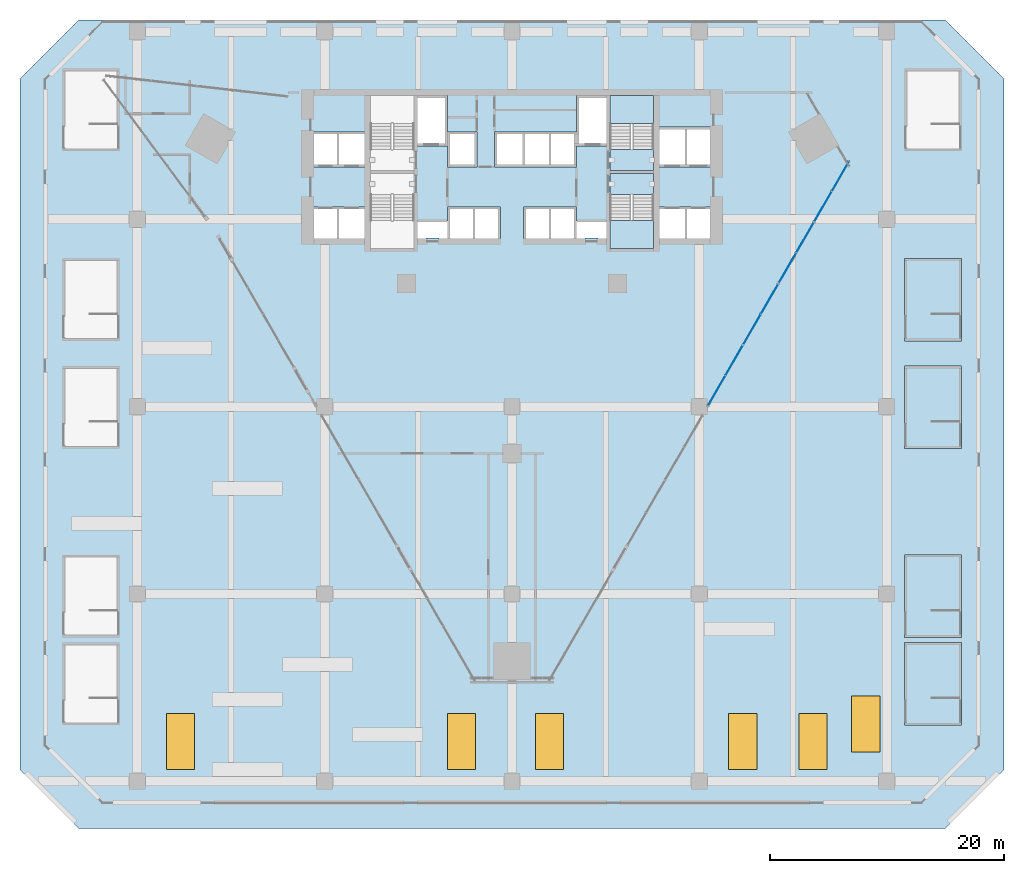
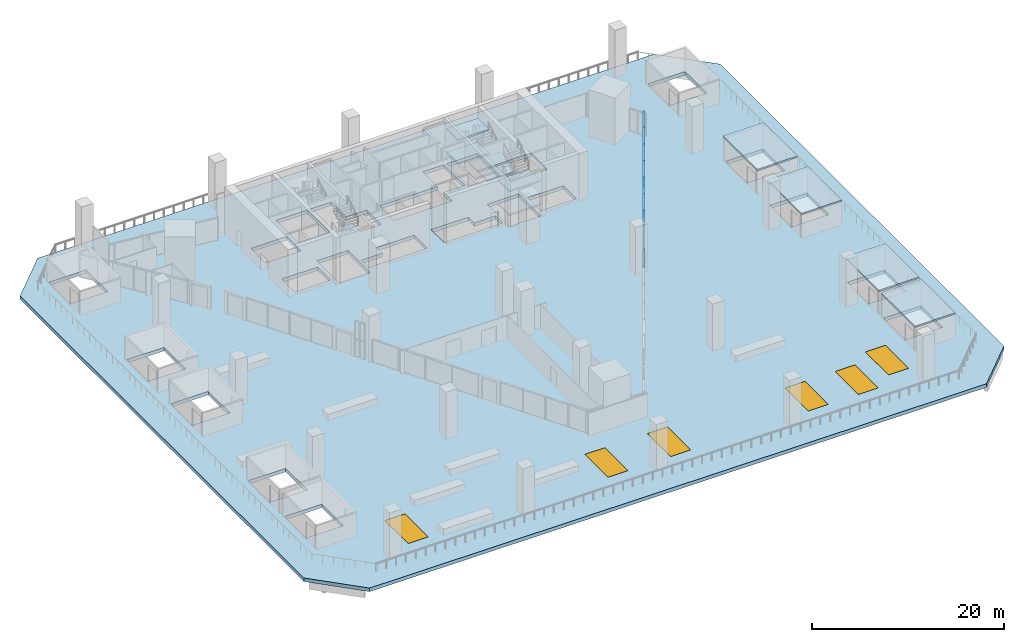
# One storey, part 16 of 25: 11 slabs, 8 plates, 6 windows, 6 openings, 6 elements without a shape of their own.
"""IFC4 building model written with IfcOpenShell, lengths in metres."""

import ifcopenshell
import ifcopenshell.guid

model = None  # the IFC model being written
_history = None  # IfcOwnerHistory: only IFC2X3 demands one
_inside = {}  # id of a spatial element -> (the spatial element, [elements in it])
_under = {}  # id of a project, library or spatial element -> (it, [spatial elements below it])
_declared = {}  # id of a project -> (the project, [libraries it declares])
_typed = {}  # id of a type object -> (the type object, [elements of that type])
_made_of = {}  # id of a material, layer set ... -> (it, [elements and type objects made of it])


def new_model(schema):
    """Start an empty IFC model of exactly this schema.

    Asked for "IFC4X3", IfcOpenShell would pick the latest addendum, in which some entities
    have other attributes; the version numbers below select the first issue.
    IFC2X3 requires an IfcOwnerHistory on every rooted entity: one is made here for all.
    """
    global model, _history
    if schema == "IFC4X3":
        model = ifcopenshell.file(schema_version=(4, 3, 0, 0))
    else:
        model = ifcopenshell.file(schema=schema)
    _inside.clear()
    _under.clear()
    _declared.clear()
    _typed.clear()
    _made_of.clear()
    _history = None
    if model.schema == "IFC2X3":
        org = make("IfcOrganization", Name="unknown")
        user = make(
            "IfcPersonAndOrganization",
            ThePerson=make("IfcPerson", FamilyName="unknown"),
            TheOrganization=org,
        )
        app = make(
            "IfcApplication",
            ApplicationDeveloper=org,
            Version="unknown",
            ApplicationFullName="unknown",
            ApplicationIdentifier="unknown",
        )
        _history = make(
            "IfcOwnerHistory",
            OwningUser=user,
            OwningApplication=app,
            ChangeAction="ADDED",
            CreationDate=0,
        )
    return model


def make(cls, **values):
    """One entity of the class cls with the attributes given. An attribute that is None is left unset."""
    return model.create_entity(
        cls, **{name: value for name, value in values.items() if value is not None}
    )


def rooted(cls, **values):
    """An entity with a GlobalId (a new one), such as an element, a storey or a relation."""
    return make(cls, GlobalId=ifcopenshell.guid.new(), OwnerHistory=_history, **values)


def si_unit(unit_type, name, prefix=None):
    """IfcSIUnit, for example si_unit("LENGTHUNIT", "METRE", prefix="MILLI")."""
    return make("IfcSIUnit", UnitType=unit_type, Prefix=prefix, Name=name)


def assignment(units):
    """IfcUnitAssignment: the units of a project."""
    return None if units is None else make("IfcUnitAssignment", Units=units)


def point(xyz):
    """IfcCartesianPoint."""
    return None if xyz is None else make("IfcCartesianPoint", Coordinates=xyz)


def direction(xyz):
    """IfcDirection."""
    return None if xyz is None else make("IfcDirection", DirectionRatios=xyz)


def frame(location, z_axis=None, x_axis=None):
    """IfcAxis2Placement3D, a coordinate frame: its origin and axes. An axis left out is left unset."""
    return make(
        "IfcAxis2Placement3D",
        Location=point(location),
        Axis=direction(z_axis),
        RefDirection=direction(x_axis),
    )


def frame_2d(location, x_axis=None):
    """IfcAxis2Placement2D, a coordinate frame in the plane: its origin and x axis."""
    return make(
        "IfcAxis2Placement2D", Location=point(location), RefDirection=direction(x_axis)
    )


def origin():
    """The frame at (0, 0, 0) with its axes left unset."""
    return frame((0.0, 0.0, 0.0))


def origin_2d():
    """The frame at (0, 0) in the plane with its x axis left unset."""
    return frame_2d((0.0, 0.0))


def place(relative_to, where):
    """IfcLocalPlacement: puts the frame where relative to a parent placement (None: the world)."""
    return make(
        "IfcLocalPlacement", PlacementRelTo=relative_to, RelativePlacement=where
    )


def context(
    kind, dimensions, precision=None, world=None, true_north=None, identifier=None
):
    """IfcGeometricRepresentationContext, for example the 3D "Model" context."""
    return make(
        "IfcGeometricRepresentationContext",
        ContextIdentifier=identifier,
        ContextType=kind,
        CoordinateSpaceDimension=dimensions,
        Precision=precision,
        WorldCoordinateSystem=world,
        TrueNorth=true_north,
    )


def subcontext(parent, identifier, kind, view, scale=None):
    """IfcGeometricRepresentationSubContext, for example "Body" below "Model"."""
    return make(
        "IfcGeometricRepresentationSubContext",
        ContextIdentifier=identifier,
        ContextType=kind,
        ParentContext=parent,
        TargetScale=scale,
        TargetView=view,
    )


def project(units=None, contexts=None):
    """IfcProject with its units and contexts."""
    return rooted(
        "IfcProject",
        Name="project",
        RepresentationContexts=contexts,
        UnitsInContext=assignment(units),
    )


def spatial(cls, under=None, at=None, **own):
    """A site, building, storey or space (cls), placed at a placement, below another one or the project."""
    s = rooted(cls, ObjectPlacement=at, **own)
    if under is not None:
        _under.setdefault(under.id(), (under, []))[1].append(s)
    return s


def polyline(points):
    """IfcPolyline through the points."""
    return make("IfcPolyline", Points=[point(p) for p in points])


def profile(cls, at=None, kind="AREA", **sizes):
    """A parametric profile (cls). Its sizes go by their IFC names, for example OverallWidth=200.0."""
    return make(cls, ProfileType=kind, Position=at, **sizes)


def rectangle(**sizes):
    """IfcRectangleProfileDef."""
    return profile("IfcRectangleProfileDef", **sizes)


def outline(outer, holes=None, kind="AREA"):
    """IfcArbitraryClosedProfileDef: a profile drawn as a closed curve; with holes, ...WithVoids."""
    if holes is None:
        return make("IfcArbitraryClosedProfileDef", ProfileType=kind, OuterCurve=outer)
    return make(
        "IfcArbitraryProfileDefWithVoids",
        ProfileType=kind,
        OuterCurve=outer,
        InnerCurves=holes,
    )


def extrude(swept, where, along, depth):
    """IfcExtrudedAreaSolid: the profile swept, set in the frame where, extruded along a direction by depth."""
    return make(
        "IfcExtrudedAreaSolid",
        SweptArea=swept,
        Position=where,
        ExtrudedDirection=direction(along),
        Depth=depth,
    )


def shape(context_of_items, identifier, shape_type, items):
    """IfcShapeRepresentation: the items that make up one representation, for example the "Body"."""
    return make(
        "IfcShapeRepresentation",
        ContextOfItems=context_of_items,
        RepresentationIdentifier=identifier,
        RepresentationType=shape_type,
        Items=items,
    )


def material(Name=None, Category=None):
    """IfcMaterial."""
    return make("IfcMaterial", Name=Name, Category=Category)


def layer(
    of_material, thickness, ventilated=None, Name=None, Category=None, Priority=None
):
    """IfcMaterialLayer: one layer of a wall or slab, of a material (None: an air gap)."""
    return make(
        "IfcMaterialLayer",
        Material=of_material,
        LayerThickness=thickness,
        IsVentilated=ventilated,
        Name=Name,
        Category=Category,
        Priority=Priority,
    )


def layer_set(layers, Name=None):
    """IfcMaterialLayerSet."""
    return make("IfcMaterialLayerSet", MaterialLayers=layers, LayerSetName=Name)


def made_of(thing, what):
    """Note that an element or type object is made of a material, layer set ...; save() writes the relation."""
    if what is not None:
        _made_of.setdefault(what.id(), (what, []))[1].append(thing)
    return thing


def type_object(cls, material=None, **own):
    """A type object (cls), such as IfcWallType, which elements share."""
    return made_of(rooted(cls, **own), material)


def element(
    cls,
    number,
    at=None,
    inside=None,
    cuts=None,
    type_object=None,
    material=None,
    context=None,
    identifier="Body",
    shape_type=None,
    held_by="IfcProductDefinitionShape",
    body=None,
    shapes=None,
    **own,
):
    """One element of the class cls, such as IfcWall. Its Tag is "e" and its number.

    at: its placement. inside: the storey or other place that contains it. cuts: it is an
    opening in that element (IfcRelVoidsElement). A single representation is given by context,
    identifier, shape_type and body (its items); several are given by shapes. held_by: the class
    of the entity that holds the representations. save() writes the other relations.
    """
    e = rooted(cls, Tag="e%d" % number, ObjectPlacement=at, **own)
    if body is not None:
        shapes = [shape(context, identifier, shape_type, body)]
    if shapes is not None:
        e.Representation = make(held_by, Representations=shapes)
    if inside is not None:
        _inside.setdefault(inside.id(), (inside, []))[1].append(e)
    if cuts is not None:
        rooted(
            "IfcRelVoidsElement", RelatingBuildingElement=cuts, RelatedOpeningElement=e
        )
    if type_object is not None:
        _typed.setdefault(type_object.id(), (type_object, []))[1].append(e)
    return made_of(e, material)


def fill(opening, filler):
    """IfcRelFillsElement: the door or window that sits in an opening."""
    return rooted(
        "IfcRelFillsElement",
        RelatingOpeningElement=opening,
        RelatedBuildingElement=filler,
    )


def aggregate(whole, parts):
    """IfcRelAggregates: a whole, such as a stair, and the parts it consists of."""
    return rooted("IfcRelAggregates", RelatingObject=whole, RelatedObjects=parts)


def save(model, path):
    """Write the relations noted so far, then the file.

    IfcRelAggregates (storeys below a building ...), IfcRelContainedInSpatialStructure (elements
    in a storey), IfcRelDefinesByType, IfcRelAssociatesMaterial and IfcRelDeclares: one each for
    every whole, place, type object, material and project.
    """
    for whole, parts in _under.values():
        aggregate(whole, parts)
    for where, things in _inside.values():
        rooted(
            "IfcRelContainedInSpatialStructure",
            RelatedElements=things,
            RelatingStructure=where,
        )
    for kind, things in _typed.values():
        rooted("IfcRelDefinesByType", RelatedObjects=things, RelatingType=kind)
    for what, things in _made_of.values():
        rooted("IfcRelAssociatesMaterial", RelatedObjects=things, RelatingMaterial=what)
    for by, libraries in _declared.values():
        rooted("IfcRelDeclares", RelatingContext=by, RelatedDefinitions=libraries)
    model.write(path)


model = new_model("IFC4")

# Units and contexts
model_context = context("Model", 3, precision=1e-05, world=origin(), true_north=direction((0.0, 1.0)))
body_context = subcontext(model_context, "Body", "Model", "MODEL_VIEW")
ifc_project = project(units=[si_unit("LENGTHUNIT", "METRE"), si_unit("AREAUNIT", "SQUARE_METRE"), si_unit("VOLUMEUNIT", "CUBIC_METRE"), si_unit("PLANEANGLEUNIT", "RADIAN"), si_unit("MASSUNIT", "GRAM", prefix="KILO")], contexts=[model_context])

# Site, building, storey
site_placement = place(None, origin())
site = spatial("IfcSite", under=ifc_project, at=site_placement, CompositionType="ELEMENT")
building_placement = place(site_placement, origin())
building = spatial("IfcBuilding", under=site, at=building_placement, Name="Calabash Gate Tower", CompositionType="ELEMENT")
storey_placement = place(building_placement, frame((0.0, 0.0, 40.0)))
storey = spatial("IfcBuildingStorey", under=building, at=storey_placement, Name="L05", CompositionType="ELEMENT", Elevation=40.0)

# Curtain wall, plates
ifc_material_1 = material(Name="Anodised aluminium frame, bronze finish, clear laminated impact-rated glazing", Category="aluminium")
curtain_wall_type = type_object("IfcCurtainWallType", Name="Curtain wall CWF podium shopfront", PredefinedType="NOTDEFINED", material=ifc_material_1)
curtain_wall_1_placement = place(storey_placement, origin())
curtain_wall_1 = element("IfcCurtainWall", 1, at=curtain_wall_1_placement, inside=storey, type_object=curtain_wall_type, Name="Curtain wall CWF L05 lobby 2.2.0", PredefinedType="NOTDEFINED")
ifc_material_2 = material(Name="Clear laminated impact-rated glazing", Category="glass")
ifc_layer_1 = layer(ifc_material_2, 0.035888671875)
ifc_layer_set_1 = layer_set([ifc_layer_1], Name="Glass panel CWF 36")
plate_type = type_object("IfcPlateType", Name="Glass panel CWF 36", PredefinedType="CURTAIN_PANEL", material=ifc_layer_set_1)
plate_1_placement = place(storey_placement, frame((17.466552734375, -6.652099609375, 0.06494140625), z_axis=(0.0, 0.0, 1.0), x_axis=(0.499999929005, 0.866025444773, 0.0)))
plate_1 = element("IfcPlate", 2, at=plate_1_placement, type_object=plate_type, Name="CWF panel 1.1", PredefinedType="CURTAIN_PANEL", context=body_context, shape_type="SweptSolid", body=[
    extrude(rectangle(XDim=2.928466796875, YDim=0.035888671875, at=origin_2d()), origin(), (0.0, 0.0, 1.0), 2.820068359375),
])
plate_2_placement = place(storey_placement, frame((18.96337890625, -4.059814453125, 0.06494140625), z_axis=(0.0, 0.0, 1.0), x_axis=(0.499999929005, 0.866025444773, 0.0)))
plate_2 = element("IfcPlate", 3, at=plate_2_placement, type_object=plate_type, Name="CWF panel 2.1", PredefinedType="CURTAIN_PANEL", context=body_context, shape_type="SweptSolid", body=[
    extrude(rectangle(XDim=2.928466796875, YDim=0.035888671875, at=origin_2d()), origin(), (0.0, 0.0, 1.0), 2.820068359375),
])
aggregate(curtain_wall_1, [plate_1, plate_2])

curtain_wall_2_placement = place(storey_placement, origin())
curtain_wall_2 = element("IfcCurtainWall", 4, at=curtain_wall_2_placement, inside=storey, type_object=curtain_wall_type, Name="Curtain wall CWF L05 lobby 2.2.1", PredefinedType="NOTDEFINED")
plate_3_placement = place(storey_placement, frame((20.492431640625, -1.4111328125, 0.06494140625), z_axis=(0.0, 0.0, 1.0), x_axis=(0.500000000559, 0.866025403462, 0.0)))
plate_3 = element("IfcPlate", 5, at=plate_3_placement, type_object=plate_type, Name="CWF panel 1.1", PredefinedType="CURTAIN_PANEL", context=body_context, shape_type="SweptSolid", body=[
    extrude(rectangle(XDim=2.928466796875, YDim=0.035888671875, at=origin_2d()), origin(), (0.0, 0.0, 1.0), 2.820068359375),
])
plate_4_placement = place(storey_placement, frame((21.989013671875, 1.18115234375, 0.06494140625), z_axis=(0.0, 0.0, 1.0), x_axis=(0.500000000559, 0.866025403462, 0.0)))
plate_4 = element("IfcPlate", 6, at=plate_4_placement, type_object=plate_type, Name="CWF panel 2.1", PredefinedType="CURTAIN_PANEL", context=body_context, shape_type="SweptSolid", body=[
    extrude(rectangle(XDim=2.928466796875, YDim=0.035888671875, at=origin_2d()), origin(), (0.0, 0.0, 1.0), 2.820068359375),
])
aggregate(curtain_wall_2, [plate_3, plate_4])

curtain_wall_3_placement = place(storey_placement, origin())
curtain_wall_3 = element("IfcCurtainWall", 7, at=curtain_wall_3_placement, inside=storey, type_object=curtain_wall_type, Name="Curtain wall CWF L05 lobby 2.2.2", PredefinedType="NOTDEFINED")
plate_5_placement = place(storey_placement, frame((23.518310546875, 3.829833984375, 0.06494140625), z_axis=(0.0, 0.0, 1.0), x_axis=(0.500000124502, 0.866025331903, 0.0)))
plate_5 = element("IfcPlate", 8, at=plate_5_placement, type_object=plate_type, Name="CWF panel 1.1", PredefinedType="CURTAIN_PANEL", context=body_context, shape_type="SweptSolid", body=[
    extrude(rectangle(XDim=2.928466796875, YDim=0.035888671875, at=origin_2d()), origin(), (0.0, 0.0, 1.0), 2.820068359375),
])
plate_6_placement = place(storey_placement, frame((25.014892578125, 6.422119140625, 0.06494140625), z_axis=(0.0, 0.0, 1.0), x_axis=(0.500000124502, 0.866025331903, 0.0)))
plate_6 = element("IfcPlate", 9, at=plate_6_placement, type_object=plate_type, Name="CWF panel 2.1", PredefinedType="CURTAIN_PANEL", context=body_context, shape_type="SweptSolid", body=[
    extrude(rectangle(XDim=2.928466796875, YDim=0.035888671875, at=origin_2d()), origin(), (0.0, 0.0, 1.0), 2.820068359375),
])
aggregate(curtain_wall_3, [plate_5, plate_6])

curtain_wall_4_placement = place(storey_placement, origin())
curtain_wall_4 = element("IfcCurtainWall", 10, at=curtain_wall_4_placement, inside=storey, type_object=curtain_wall_type, Name="Curtain wall CWF L05 lobby 2.2.3", PredefinedType="NOTDEFINED")
plate_7_placement = place(storey_placement, frame((26.544189453125, 9.070556640625, 0.06494140625), z_axis=(0.0, 0.0, 1.0), x_axis=(0.499999929005, 0.866025444773, 0.0)))
plate_7 = element("IfcPlate", 11, at=plate_7_placement, type_object=plate_type, Name="CWF panel 1.1", PredefinedType="CURTAIN_PANEL", context=body_context, shape_type="SweptSolid", body=[
    extrude(rectangle(XDim=2.928466796875, YDim=0.035888671875, at=origin_2d()), origin(), (0.0, 0.0, 1.0), 2.820068359375),
])
plate_8_placement = place(storey_placement, frame((28.040771484375, 11.6630859375, 0.06494140625), z_axis=(0.0, 0.0, 1.0), x_axis=(0.499999929005, 0.866025444773, 0.0)))
plate_8 = element("IfcPlate", 12, at=plate_8_placement, type_object=plate_type, Name="CWF panel 2.1", PredefinedType="CURTAIN_PANEL", context=body_context, shape_type="SweptSolid", body=[
    extrude(rectangle(XDim=2.928466796875, YDim=0.035888671875, at=origin_2d()), origin(), (0.0, 0.0, 1.0), 2.820068359375),
])
aggregate(curtain_wall_4, [plate_7, plate_8])

# Slab, openings, windows
ifc_material_3 = material(Name="Concrete C40/50", Category="concrete")
ifc_layer_2 = layer(ifc_material_3, 0.449951171875)
ifc_layer_set_2 = layer_set([ifc_layer_2], Name="Podium deck slab 450 Concrete C40/50")
slab_type_1 = type_object("IfcSlabType", Name="Podium deck slab 450 Concrete C40/50", PredefinedType="FLOOR", material=ifc_layer_set_2)
slab_1_placement = place(storey_placement, frame((0.0, 0.0, -0.449951171875)))
slab_1 = element("IfcSlab", 13, at=slab_1_placement, inside=storey, type_object=slab_type_1, Name="Floor slab L05", PredefinedType="FLOOR", context=body_context, shape_type="SweptSolid", body=[
    extrude(outline(polyline([(37.0, -44.0), (-37.0, -44.0), (-42.0, -39.0), (-42.0, 20.0), (-37.0, 25.0), (-35.0, 25.0), (35.0, 25.0), (37.0, 25.0), (42.0, 20.0), (42.0, -39.0), (37.0, -44.0)]), holes=[polyline([(-1.0, 6.3525390625), (-1.0, 9.052490234375), (-3.25, 9.052490234375), (-5.5, 9.052490234375), (-5.5, 7.8525390625), (-8.050048828125, 7.8525390625), (-8.050048828125, 6.3525390625), (-7.324951171875, 6.3525390625), (-7.324951171875, 6.402587890625), (-6.22509765625, 6.402587890625), (-6.22509765625, 6.3525390625), (-5.5, 6.3525390625), (-3.25, 6.3525390625), (-1.0, 6.3525390625)]), polyline([(8.050048828125, 6.3525390625), (8.050048828125, 7.8525390625), (5.5, 7.8525390625), (5.5, 9.052490234375), (3.25, 9.052490234375), (1.0, 9.052490234375), (1.0, 6.3525390625), (3.25, 6.3525390625), (5.5, 6.3525390625), (6.22509765625, 6.3525390625), (6.22509765625, 6.402587890625), (7.324951171875, 6.402587890625), (7.324951171875, 6.3525390625), (8.050048828125, 6.3525390625)]), polyline([(-3.0, 12.45263671875), (-3.0, 15.45263671875), (-5.5, 15.45263671875), (-5.5, 18.552490234375), (-8.050048828125, 18.552490234375), (-8.050048828125, 14.252685546875), (-5.5, 14.252685546875), (-5.5, 12.45263671875), (-3.0, 12.45263671875)]), polyline([(5.5, 14.252685546875), (8.050048828125, 14.252685546875), (8.050048828125, 18.552490234375), (5.5, 18.552490234375), (5.5, 15.45263671875), (3.25, 15.45263671875), (1.0, 15.45263671875), (-1.5, 15.45263671875), (-1.5, 12.45263671875), (1.0, 12.45263671875), (3.25, 12.45263671875), (5.5, 12.45263671875), (5.5, 14.252685546875)]), polyline([(-16.89990234375, 6.3525390625), (-14.85009765625, 6.3525390625), (-12.60009765625, 6.3525390625), (-12.60009765625, 9.052490234375), (-14.85009765625, 9.052490234375), (-16.89990234375, 9.052490234375), (-16.89990234375, 6.3525390625)]), polyline([(-16.89990234375, 15.45263671875), (-16.89990234375, 12.45263671875), (-14.85009765625, 12.45263671875), (-12.60009765625, 12.45263671875), (-12.60009765625, 15.45263671875), (-14.85009765625, 15.45263671875), (-16.89990234375, 15.45263671875)]), polyline([(12.60009765625, 9.052490234375), (12.60009765625, 6.3525390625), (14.85009765625, 6.3525390625), (16.89990234375, 6.3525390625), (16.89990234375, 9.052490234375), (14.85009765625, 9.052490234375), (12.60009765625, 9.052490234375)]), polyline([(12.60009765625, 15.8525390625), (12.60009765625, 12.45263671875), (14.85009765625, 12.45263671875), (16.89990234375, 12.45263671875), (16.89990234375, 15.8525390625), (14.85009765625, 15.8525390625), (12.60009765625, 15.8525390625)]), polyline([(-12.10009765625, 13.95263671875), (-8.35009765625, 13.95263671875), (-8.35009765625, 18.552490234375), (-12.10009765625, 18.552490234375), (-12.10009765625, 13.95263671875)]), polyline([(-8.35009765625, 5.502685546875), (-8.35009765625, 10.1025390625), (-12.10009765625, 10.1025390625), (-12.10009765625, 5.502685546875), (-8.35009765625, 5.502685546875)]), polyline([(12.10009765625, 18.552490234375), (8.35009765625, 18.552490234375), (8.35009765625, 13.95263671875), (12.10009765625, 13.95263671875), (12.10009765625, 18.552490234375)]), polyline([(8.35009765625, 10.1025390625), (8.35009765625, 5.502685546875), (12.10009765625, 5.502685546875), (12.10009765625, 10.1025390625), (8.35009765625, 10.1025390625)]), polyline([(-33.699951171875, -28.35009765625), (-38.169921875, -28.35009765625), (-38.169921875, -32.840087890625), (-33.699951171875, -32.840087890625), (-33.699951171875, -28.35009765625)]), polyline([(-33.699951171875, -25.340087890625), (-33.699951171875, -20.85009765625), (-38.169921875, -20.85009765625), (-38.169921875, -25.340087890625), (-33.699951171875, -25.340087890625)]), polyline([(-38.169921875, -9.239990234375), (-33.699951171875, -9.239990234375), (-33.699951171875, -4.75), (-38.169921875, -4.75), (-38.169921875, -9.239990234375)]), polyline([(-38.169921875, 4.449951171875), (-38.169921875, -0.0400390625), (-33.699951171875, -0.0400390625), (-33.699951171875, 4.449951171875), (-38.169921875, 4.449951171875)]), polyline([(-33.699951171875, 20.64990234375), (-38.169921875, 20.64990234375), (-38.169921875, 16.159912109375), (-33.699951171875, 16.159912109375), (-33.699951171875, 20.64990234375)]), polyline([(38.169921875, -32.840087890625), (38.169921875, -28.35009765625), (33.699951171875, -28.35009765625), (33.699951171875, -32.840087890625), (38.169921875, -32.840087890625)]), polyline([(33.699951171875, -25.340087890625), (38.169921875, -25.340087890625), (38.169921875, -20.85009765625), (33.699951171875, -20.85009765625), (33.699951171875, -25.340087890625)]), polyline([(33.699951171875, -4.75), (33.699951171875, -9.239990234375), (38.169921875, -9.239990234375), (38.169921875, -4.75), (33.699951171875, -4.75)]), polyline([(38.169921875, 4.449951171875), (33.699951171875, 4.449951171875), (33.699951171875, -0.0400390625), (38.169921875, -0.0400390625), (38.169921875, 4.449951171875)]), polyline([(38.169921875, 16.159912109375), (38.169921875, 20.64990234375), (33.699951171875, 20.64990234375), (33.699951171875, 16.159912109375), (38.169921875, 16.159912109375)])]), origin(), (0.0, 0.0, 1.0), 0.449951171875),
])
opening_1_placement = place(slab_1_placement, frame((-28.300048828125, -36.60009765625, 0.0)))
opening_1 = element("IfcOpeningElement", 14, at=opening_1_placement, cuts=slab_1, Name="Opening SK1", PredefinedType="OPENING", context=body_context, shape_type="SweptSolid", body=[
    extrude(rectangle(XDim=2.39990234375, YDim=4.800048828125, at=origin_2d()), origin(), (0.0, 0.0, 1.0), 0.449951171875),
])
opening_2_placement = place(slab_1_placement, frame((-4.300048828125, -36.60009765625, 0.0)))
opening_2 = element("IfcOpeningElement", 15, at=opening_2_placement, cuts=slab_1, Name="Opening SK1", PredefinedType="OPENING", context=body_context, shape_type="SweptSolid", body=[
    extrude(rectangle(XDim=2.39990234375, YDim=4.800048828125, at=origin_2d()), origin(), (0.0, 0.0, 1.0), 0.449951171875),
])
opening_3_placement = place(slab_1_placement, frame((3.199951171875, -36.60009765625, 0.0)))
opening_3 = element("IfcOpeningElement", 16, at=opening_3_placement, cuts=slab_1, Name="Opening SK1", PredefinedType="OPENING", context=body_context, shape_type="SweptSolid", body=[
    extrude(rectangle(XDim=2.39990234375, YDim=4.800048828125, at=origin_2d()), origin(), (0.0, 0.0, 1.0), 0.449951171875),
])
opening_4_placement = place(slab_1_placement, frame((19.699951171875, -36.60009765625, 0.0)))
opening_4 = element("IfcOpeningElement", 17, at=opening_4_placement, cuts=slab_1, Name="Opening SK1", PredefinedType="OPENING", context=body_context, shape_type="SweptSolid", body=[
    extrude(rectangle(XDim=2.39990234375, YDim=4.800048828125, at=origin_2d()), origin(), (0.0, 0.0, 1.0), 0.449951171875),
])
opening_5_placement = place(slab_1_placement, frame((25.699951171875, -36.60009765625, 0.0)))
opening_5 = element("IfcOpeningElement", 18, at=opening_5_placement, cuts=slab_1, Name="Opening SK1", PredefinedType="OPENING", context=body_context, shape_type="SweptSolid", body=[
    extrude(rectangle(XDim=2.39990234375, YDim=4.800048828125, at=origin_2d()), origin(), (0.0, 0.0, 1.0), 0.449951171875),
])
opening_6_placement = place(slab_1_placement, frame((30.199951171875, -35.10009765625, 0.0)))
opening_6 = element("IfcOpeningElement", 19, at=opening_6_placement, cuts=slab_1, Name="Opening SK1", PredefinedType="OPENING", context=body_context, shape_type="SweptSolid", body=[
    extrude(rectangle(XDim=2.39990234375, YDim=4.800048828125, at=origin_2d()), origin(), (0.0, 0.0, 1.0), 0.449951171875),
])
ifc_material_4 = material(Name="Aluminium frame, laminated clear glazing", Category="aluminium")
window_type = type_object("IfcWindowType", Name="Rooflight SKYLIGHT", PartitioningType="SINGLE_PANEL", PredefinedType="SKYLIGHT", material=ifc_material_4)
window_1_placement = place(opening_1_placement, frame((0.0, 0.0, 0.39990234375)))
window_1 = element("IfcWindow", 20, at=window_1_placement, inside=storey, type_object=window_type, Name="Rooflight L05 1", OverallHeight=4.800048828125, OverallWidth=2.39990234375, PartitioningType="SINGLE_PANEL", PredefinedType="SKYLIGHT", context=body_context, shape_type="SweptSolid", body=[
    extrude(rectangle(XDim=2.39990234375, YDim=4.800048828125, at=origin_2d()), origin(), (0.0, 0.0, 1.0), 0.050048828125),
])
fill(opening_1, window_1)
window_2_placement = place(opening_2_placement, frame((0.0, 0.0, 0.39990234375)))
window_2 = element("IfcWindow", 21, at=window_2_placement, inside=storey, type_object=window_type, Name="Rooflight L05 2", OverallHeight=4.800048828125, OverallWidth=2.39990234375, PartitioningType="SINGLE_PANEL", PredefinedType="SKYLIGHT", context=body_context, shape_type="SweptSolid", body=[
    extrude(rectangle(XDim=2.39990234375, YDim=4.800048828125, at=origin_2d()), origin(), (0.0, 0.0, 1.0), 0.050048828125),
])
fill(opening_2, window_2)
window_3_placement = place(opening_3_placement, frame((0.0, 0.0, 0.39990234375)))
window_3 = element("IfcWindow", 22, at=window_3_placement, inside=storey, type_object=window_type, Name="Rooflight L05 3", OverallHeight=4.800048828125, OverallWidth=2.39990234375, PartitioningType="SINGLE_PANEL", PredefinedType="SKYLIGHT", context=body_context, shape_type="SweptSolid", body=[
    extrude(rectangle(XDim=2.39990234375, YDim=4.800048828125, at=origin_2d()), origin(), (0.0, 0.0, 1.0), 0.050048828125),
])
fill(opening_3, window_3)
window_4_placement = place(opening_4_placement, frame((0.0, 0.0, 0.39990234375)))
window_4 = element("IfcWindow", 23, at=window_4_placement, inside=storey, type_object=window_type, Name="Rooflight L05 4", OverallHeight=4.800048828125, OverallWidth=2.39990234375, PartitioningType="SINGLE_PANEL", PredefinedType="SKYLIGHT", context=body_context, shape_type="SweptSolid", body=[
    extrude(rectangle(XDim=2.39990234375, YDim=4.800048828125, at=origin_2d()), origin(), (0.0, 0.0, 1.0), 0.050048828125),
])
fill(opening_4, window_4)
window_5_placement = place(opening_5_placement, frame((0.0, 0.0, 0.39990234375)))
window_5 = element("IfcWindow", 24, at=window_5_placement, inside=storey, type_object=window_type, Name="Rooflight L05 5", OverallHeight=4.800048828125, OverallWidth=2.39990234375, PartitioningType="SINGLE_PANEL", PredefinedType="SKYLIGHT", context=body_context, shape_type="SweptSolid", body=[
    extrude(rectangle(XDim=2.39990234375, YDim=4.800048828125, at=origin_2d()), origin(), (0.0, 0.0, 1.0), 0.050048828125),
])
fill(opening_5, window_5)
window_6_placement = place(opening_6_placement, frame((0.0, 0.0, 0.39990234375)))
window_6 = element("IfcWindow", 25, at=window_6_placement, inside=storey, type_object=window_type, Name="Rooflight L05 6", OverallHeight=4.800048828125, OverallWidth=2.39990234375, PartitioningType="SINGLE_PANEL", PredefinedType="SKYLIGHT", context=body_context, shape_type="SweptSolid", body=[
    extrude(rectangle(XDim=2.39990234375, YDim=4.800048828125, at=origin_2d()), origin(), (0.0, 0.0, 1.0), 0.050048828125),
])
fill(opening_6, window_6)

# Slabs
ifc_material_5 = material(Name="Concrete C40/50", Category="concrete")
ifc_layer_3 = layer(ifc_material_5, 0.199951171875)
ifc_layer_set_3 = layer_set([ifc_layer_3], Name="Stair head house roof 200")
slab_type_2 = type_object("IfcSlabType", Name="Stair head house roof 200", PredefinedType="ROOF", material=ifc_layer_set_3)
slab_2_placement = place(storey_placement, frame((0.0, 0.0, 3.0)))
element("IfcSlab", 26, at=slab_2_placement, inside=storey, type_object=slab_type_2, Name="Head house roof PS6", PredefinedType="ROOF", context=body_context, shape_type="SweptSolid", body=[
    extrude(outline(polyline([(38.3701171875, -35.199951171875), (33.5, -35.199951171875), (33.5, -28.14990234375), (38.3701171875, -28.14990234375), (38.3701171875, -35.199951171875)])), origin(), (0.0, 0.0, 1.0), 0.199951171875),
])
slab_3_placement = place(storey_placement, frame((0.0, 0.0, 3.0)))
element("IfcSlab", 27, at=slab_3_placement, inside=storey, type_object=slab_type_2, Name="Head house roof PS7", PredefinedType="ROOF", context=body_context, shape_type="SweptSolid", body=[
    extrude(outline(polyline([(38.3701171875, -27.699951171875), (33.5, -27.699951171875), (33.5, -20.64990234375), (38.3701171875, -20.64990234375), (38.3701171875, -27.699951171875)])), origin(), (0.0, 0.0, 1.0), 0.199951171875),
])
slab_4_placement = place(storey_placement, frame((0.0, 0.0, 3.0)))
element("IfcSlab", 28, at=slab_4_placement, inside=storey, type_object=slab_type_2, Name="Head house roof PS8", PredefinedType="ROOF", context=body_context, shape_type="SweptSolid", body=[
    extrude(outline(polyline([(38.3701171875, -11.60009765625), (33.5, -11.60009765625), (33.5, -4.550048828125), (38.3701171875, -4.550048828125), (38.3701171875, -11.60009765625)])), origin(), (0.0, 0.0, 1.0), 0.199951171875),
])
slab_5_placement = place(storey_placement, frame((0.0, 0.0, 3.0)))
element("IfcSlab", 29, at=slab_5_placement, inside=storey, type_object=slab_type_2, Name="Head house roof PS9", PredefinedType="ROOF", context=body_context, shape_type="SweptSolid", body=[
    extrude(outline(polyline([(38.3701171875, -2.39990234375), (33.5, -2.39990234375), (33.5, 4.64990234375), (38.3701171875, 4.64990234375), (38.3701171875, -2.39990234375)])), origin(), (0.0, 0.0, 1.0), 0.199951171875),
])

# Stair, slabs
ifc_material_6 = material(Name="Concrete C40/50", Category="concrete")
stair_type = type_object("IfcStairType", Name="Exit stair 36 risers of 166.7 mm", PredefinedType="HALF_TURN_STAIR", material=ifc_material_6)
stair_1_placement = place(storey_placement, origin())
stair_1 = element("IfcStair", 30, at=stair_1_placement, inside=storey, type_object=stair_type, Name="L05 Exit stair ST3", PredefinedType="HALF_TURN_STAIR")
ifc_material_7 = material(Name="Concrete C40/50", Category="concrete")
ifc_layer_4 = layer(ifc_material_7, 0.199951171875)
ifc_layer_set_4 = layer_set([ifc_layer_4], Name="Stair landing SL200")
slab_type_3 = type_object("IfcSlabType", Name="Stair landing SL200", PredefinedType="LANDING", material=ifc_layer_set_4)
slab_6_placement = place(storey_placement, frame((0.0, 0.0, 1.300048828125)))
slab_6 = element("IfcSlab", 31, at=slab_6_placement, type_object=slab_type_3, Name="ST3 landing 1", PredefinedType="LANDING", context=body_context, shape_type="SweptSolid", body=[
    extrude(outline(polyline([(12.10009765625, 16.1845703125), (12.10009765625, 18.552490234375), (8.35009765625, 18.552490234375), (8.35009765625, 16.1845703125), (12.10009765625, 16.1845703125)])), origin(), (0.0, 0.0, 1.0), 0.199951171875),
])
slab_7_placement = place(storey_placement, frame((0.0, 0.0, 2.800048828125)))
slab_7 = element("IfcSlab", 32, at=slab_7_placement, type_object=slab_type_3, Name="ST3 landing 2", PredefinedType="LANDING", context=body_context, shape_type="SweptSolid", body=[
    extrude(outline(polyline([(12.10009765625, 12.152587890625), (12.10009765625, 13.95263671875), (8.35009765625, 13.95263671875), (8.35009765625, 12.152587890625), (12.10009765625, 12.152587890625)])), origin(), (0.0, 0.0, 1.0), 0.199951171875),
])
slab_8_placement = place(storey_placement, frame((0.0, 0.0, 4.300048828125)))
slab_8 = element("IfcSlab", 33, at=slab_8_placement, type_object=slab_type_3, Name="ST3 landing 3", PredefinedType="LANDING", context=body_context, shape_type="SweptSolid", body=[
    extrude(outline(polyline([(12.10009765625, 16.1845703125), (12.10009765625, 18.552490234375), (8.35009765625, 18.552490234375), (8.35009765625, 16.1845703125), (12.10009765625, 16.1845703125)])), origin(), (0.0, 0.0, 1.0), 0.199951171875),
])
aggregate(stair_1, [slab_6, slab_7, slab_8])

stair_2_placement = place(storey_placement, origin())
stair_2 = element("IfcStair", 34, at=stair_2_placement, inside=storey, type_object=stair_type, Name="L05 Exit stair ST4", PredefinedType="HALF_TURN_STAIR")
slab_9_placement = place(storey_placement, frame((0.0, 0.0, 1.300048828125)))
slab_9 = element("IfcSlab", 35, at=slab_9_placement, type_object=slab_type_3, Name="ST4 landing 1", PredefinedType="LANDING", context=body_context, shape_type="SweptSolid", body=[
    extrude(outline(polyline([(8.35009765625, 7.87060546875), (8.35009765625, 5.502685546875), (12.10009765625, 5.502685546875), (12.10009765625, 7.87060546875), (8.35009765625, 7.87060546875)])), origin(), (0.0, 0.0, 1.0), 0.199951171875),
])
slab_10_placement = place(storey_placement, frame((0.0, 0.0, 2.800048828125)))
slab_10 = element("IfcSlab", 36, at=slab_10_placement, type_object=slab_type_3, Name="ST4 landing 2", PredefinedType="LANDING", context=body_context, shape_type="SweptSolid", body=[
    extrude(outline(polyline([(8.35009765625, 11.902587890625), (8.35009765625, 10.1025390625), (12.10009765625, 10.1025390625), (12.10009765625, 11.902587890625), (8.35009765625, 11.902587890625)])), origin(), (0.0, 0.0, 1.0), 0.199951171875),
])
slab_11_placement = place(storey_placement, frame((0.0, 0.0, 4.300048828125)))
slab_11 = element("IfcSlab", 37, at=slab_11_placement, type_object=slab_type_3, Name="ST4 landing 3", PredefinedType="LANDING", context=body_context, shape_type="SweptSolid", body=[
    extrude(outline(polyline([(8.35009765625, 7.87060546875), (8.35009765625, 5.502685546875), (12.10009765625, 5.502685546875), (12.10009765625, 7.87060546875), (8.35009765625, 7.87060546875)])), origin(), (0.0, 0.0, 1.0), 0.199951171875),
])
aggregate(stair_2, [slab_9, slab_10, slab_11])

save(model, "model.ifc")
